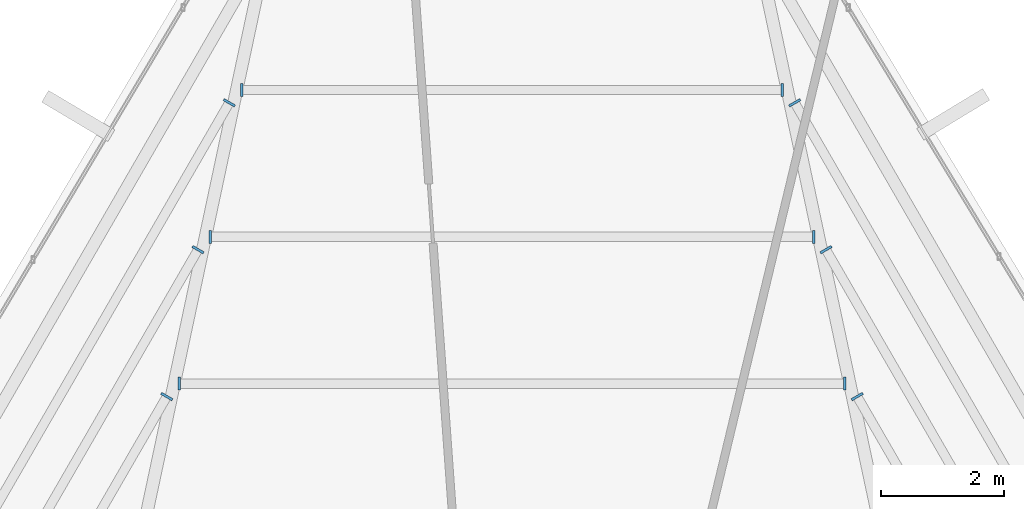
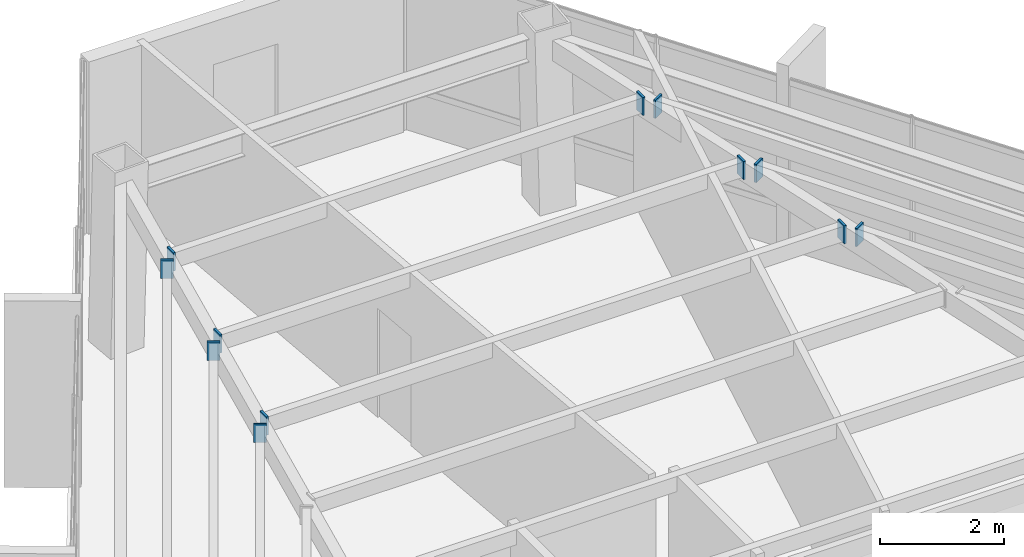
# One storey, part 41 of 47: 12 plates.
"""IFC4 building model written with IfcOpenShell, lengths in metres."""

import ifcopenshell
import ifcopenshell.guid

model = None  # the IFC model being written
_history = None  # IfcOwnerHistory: only IFC2X3 demands one
_inside = {}  # id of a spatial element -> (the spatial element, [elements in it])
_under = {}  # id of a project, library or spatial element -> (it, [spatial elements below it])
_declared = {}  # id of a project -> (the project, [libraries it declares])
_typed = {}  # id of a type object -> (the type object, [elements of that type])
_made_of = {}  # id of a material, layer set ... -> (it, [elements and type objects made of it])


def new_model(schema):
    """Start an empty IFC model of exactly this schema.

    Asked for "IFC4X3", IfcOpenShell would pick the latest addendum, in which some entities
    have other attributes; the version numbers below select the first issue.
    IFC2X3 requires an IfcOwnerHistory on every rooted entity: one is made here for all.
    """
    global model, _history
    if schema == "IFC4X3":
        model = ifcopenshell.file(schema_version=(4, 3, 0, 0))
    else:
        model = ifcopenshell.file(schema=schema)
    _inside.clear()
    _under.clear()
    _declared.clear()
    _typed.clear()
    _made_of.clear()
    _history = None
    if model.schema == "IFC2X3":
        org = make("IfcOrganization", Name="unknown")
        user = make(
            "IfcPersonAndOrganization",
            ThePerson=make("IfcPerson", FamilyName="unknown"),
            TheOrganization=org,
        )
        app = make(
            "IfcApplication",
            ApplicationDeveloper=org,
            Version="unknown",
            ApplicationFullName="unknown",
            ApplicationIdentifier="unknown",
        )
        _history = make(
            "IfcOwnerHistory",
            OwningUser=user,
            OwningApplication=app,
            ChangeAction="ADDED",
            CreationDate=0,
        )
    return model


def make(cls, **values):
    """One entity of the class cls with the attributes given. An attribute that is None is left unset."""
    return model.create_entity(
        cls, **{name: value for name, value in values.items() if value is not None}
    )


def rooted(cls, **values):
    """An entity with a GlobalId (a new one), such as an element, a storey or a relation."""
    return make(cls, GlobalId=ifcopenshell.guid.new(), OwnerHistory=_history, **values)


def si_unit(unit_type, name, prefix=None):
    """IfcSIUnit, for example si_unit("LENGTHUNIT", "METRE", prefix="MILLI")."""
    return make("IfcSIUnit", UnitType=unit_type, Prefix=prefix, Name=name)


def assignment(units):
    """IfcUnitAssignment: the units of a project."""
    return None if units is None else make("IfcUnitAssignment", Units=units)


def point(xyz):
    """IfcCartesianPoint."""
    return None if xyz is None else make("IfcCartesianPoint", Coordinates=xyz)


def direction(xyz):
    """IfcDirection."""
    return None if xyz is None else make("IfcDirection", DirectionRatios=xyz)


def frame(location, z_axis=None, x_axis=None):
    """IfcAxis2Placement3D, a coordinate frame: its origin and axes. An axis left out is left unset."""
    return make(
        "IfcAxis2Placement3D",
        Location=point(location),
        Axis=direction(z_axis),
        RefDirection=direction(x_axis),
    )


def frame_2d(location, x_axis=None):
    """IfcAxis2Placement2D, a coordinate frame in the plane: its origin and x axis."""
    return make(
        "IfcAxis2Placement2D", Location=point(location), RefDirection=direction(x_axis)
    )


def origin():
    """The frame at (0, 0, 0) with its axes left unset."""
    return frame((0.0, 0.0, 0.0))


def origin_2d():
    """The frame at (0, 0) in the plane with its x axis left unset."""
    return frame_2d((0.0, 0.0))


def place(relative_to, where):
    """IfcLocalPlacement: puts the frame where relative to a parent placement (None: the world)."""
    return make(
        "IfcLocalPlacement", PlacementRelTo=relative_to, RelativePlacement=where
    )


def context(
    kind, dimensions, precision=None, world=None, true_north=None, identifier=None
):
    """IfcGeometricRepresentationContext, for example the 3D "Model" context."""
    return make(
        "IfcGeometricRepresentationContext",
        ContextIdentifier=identifier,
        ContextType=kind,
        CoordinateSpaceDimension=dimensions,
        Precision=precision,
        WorldCoordinateSystem=world,
        TrueNorth=true_north,
    )


def subcontext(parent, identifier, kind, view, scale=None):
    """IfcGeometricRepresentationSubContext, for example "Body" below "Model"."""
    return make(
        "IfcGeometricRepresentationSubContext",
        ContextIdentifier=identifier,
        ContextType=kind,
        ParentContext=parent,
        TargetScale=scale,
        TargetView=view,
    )


def project(units=None, contexts=None):
    """IfcProject with its units and contexts."""
    return rooted(
        "IfcProject",
        Name="project",
        RepresentationContexts=contexts,
        UnitsInContext=assignment(units),
    )


def spatial(cls, under=None, at=None, **own):
    """A site, building, storey or space (cls), placed at a placement, below another one or the project."""
    s = rooted(cls, ObjectPlacement=at, **own)
    if under is not None:
        _under.setdefault(under.id(), (under, []))[1].append(s)
    return s


def profile(cls, at=None, kind="AREA", **sizes):
    """A parametric profile (cls). Its sizes go by their IFC names, for example OverallWidth=200.0."""
    return make(cls, ProfileType=kind, Position=at, **sizes)


def rectangle(**sizes):
    """IfcRectangleProfileDef."""
    return profile("IfcRectangleProfileDef", **sizes)


def extrude(swept, where, along, depth):
    """IfcExtrudedAreaSolid: the profile swept, set in the frame where, extruded along a direction by depth."""
    return make(
        "IfcExtrudedAreaSolid",
        SweptArea=swept,
        Position=where,
        ExtrudedDirection=direction(along),
        Depth=depth,
    )


def shape(context_of_items, identifier, shape_type, items):
    """IfcShapeRepresentation: the items that make up one representation, for example the "Body"."""
    return make(
        "IfcShapeRepresentation",
        ContextOfItems=context_of_items,
        RepresentationIdentifier=identifier,
        RepresentationType=shape_type,
        Items=items,
    )


def source(mapping_origin, context_of_items, identifier, shape_type, items):
    """IfcRepresentationMap: a shape defined once, which mapped items show again and again."""
    return make(
        "IfcRepresentationMap",
        MappingOrigin=mapping_origin,
        MappedRepresentation=shape(context_of_items, identifier, shape_type, items),
    )


def transform(
    local_origin,
    x_axis=None,
    y_axis=None,
    z_axis=None,
    scale=None,
    scale2=None,
    scale3=None,
    uniform=True,
):
    """IfcCartesianTransformationOperator3D, or its non-uniform kind. x_axis, y_axis, z_axis: its Axis1, 2, 3."""
    if uniform:
        return make(
            "IfcCartesianTransformationOperator3D",
            Axis1=direction(x_axis),
            Axis2=direction(y_axis),
            LocalOrigin=point(local_origin),
            Scale=scale,
            Axis3=direction(z_axis),
        )
    return make(
        "IfcCartesianTransformationOperator3DnonUniform",
        Axis1=direction(x_axis),
        Axis2=direction(y_axis),
        LocalOrigin=point(local_origin),
        Scale=scale,
        Axis3=direction(z_axis),
        Scale2=scale2,
        Scale3=scale3,
    )


def mapped(mapping_source, mapping_target):
    """IfcMappedItem: shows the shape of a source again, moved by a transform."""
    return make(
        "IfcMappedItem", MappingSource=mapping_source, MappingTarget=mapping_target
    )


def material(Name=None, Category=None):
    """IfcMaterial."""
    return make("IfcMaterial", Name=Name, Category=Category)


def layer(
    of_material, thickness, ventilated=None, Name=None, Category=None, Priority=None
):
    """IfcMaterialLayer: one layer of a wall or slab, of a material (None: an air gap)."""
    return make(
        "IfcMaterialLayer",
        Material=of_material,
        LayerThickness=thickness,
        IsVentilated=ventilated,
        Name=Name,
        Category=Category,
        Priority=Priority,
    )


def layer_set(layers, Name=None):
    """IfcMaterialLayerSet."""
    return make("IfcMaterialLayerSet", MaterialLayers=layers, LayerSetName=Name)


def made_of(thing, what):
    """Note that an element or type object is made of a material, layer set ...; save() writes the relation."""
    if what is not None:
        _made_of.setdefault(what.id(), (what, []))[1].append(thing)
    return thing


def type_object(cls, material=None, **own):
    """A type object (cls), such as IfcWallType, which elements share."""
    return made_of(rooted(cls, **own), material)


def type_shapes(of_type, sources):
    """Give a type object the sources (RepresentationMaps) that its elements show as mapped items."""
    of_type.RepresentationMaps = sources


def element(
    cls,
    number,
    at=None,
    inside=None,
    cuts=None,
    type_object=None,
    material=None,
    context=None,
    identifier="Body",
    shape_type=None,
    held_by="IfcProductDefinitionShape",
    body=None,
    shapes=None,
    **own,
):
    """One element of the class cls, such as IfcWall. Its Tag is "e" and its number.

    at: its placement. inside: the storey or other place that contains it. cuts: it is an
    opening in that element (IfcRelVoidsElement). A single representation is given by context,
    identifier, shape_type and body (its items); several are given by shapes. held_by: the class
    of the entity that holds the representations. save() writes the other relations.
    """
    e = rooted(cls, Tag="e%d" % number, ObjectPlacement=at, **own)
    if body is not None:
        shapes = [shape(context, identifier, shape_type, body)]
    if shapes is not None:
        e.Representation = make(held_by, Representations=shapes)
    if inside is not None:
        _inside.setdefault(inside.id(), (inside, []))[1].append(e)
    if cuts is not None:
        rooted(
            "IfcRelVoidsElement", RelatingBuildingElement=cuts, RelatedOpeningElement=e
        )
    if type_object is not None:
        _typed.setdefault(type_object.id(), (type_object, []))[1].append(e)
    return made_of(e, material)


def aggregate(whole, parts):
    """IfcRelAggregates: a whole, such as a stair, and the parts it consists of."""
    return rooted("IfcRelAggregates", RelatingObject=whole, RelatedObjects=parts)


def save(model, path):
    """Write the relations noted so far, then the file.

    IfcRelAggregates (storeys below a building ...), IfcRelContainedInSpatialStructure (elements
    in a storey), IfcRelDefinesByType, IfcRelAssociatesMaterial and IfcRelDeclares: one each for
    every whole, place, type object, material and project.
    """
    for whole, parts in _under.values():
        aggregate(whole, parts)
    for where, things in _inside.values():
        rooted(
            "IfcRelContainedInSpatialStructure",
            RelatedElements=things,
            RelatingStructure=where,
        )
    for kind, things in _typed.values():
        rooted("IfcRelDefinesByType", RelatedObjects=things, RelatingType=kind)
    for what, things in _made_of.values():
        rooted("IfcRelAssociatesMaterial", RelatedObjects=things, RelatingMaterial=what)
    for by, libraries in _declared.values():
        rooted("IfcRelDeclares", RelatingContext=by, RelatedDefinitions=libraries)
    model.write(path)


model = new_model("IFC4")

# Units and contexts
model_context = context("Model", 3, precision=1e-05, world=origin(), true_north=direction((0.0, 1.0)))
body_context = subcontext(model_context, "Body", "Model", "MODEL_VIEW")
ifc_project = project(units=[si_unit("LENGTHUNIT", "METRE"), si_unit("AREAUNIT", "SQUARE_METRE"), si_unit("VOLUMEUNIT", "CUBIC_METRE"), si_unit("PLANEANGLEUNIT", "RADIAN"), si_unit("MASSUNIT", "GRAM", prefix="KILO")], contexts=[model_context])

# Site, building, storey
site_placement = place(None, origin())
site = spatial("IfcSite", under=ifc_project, at=site_placement, CompositionType="ELEMENT")
building_placement = place(site_placement, origin())
building = spatial("IfcBuilding", under=site, at=building_placement, Name="Caelisora Broadcast Tower", CompositionType="ELEMENT")
storey_placement = place(building_placement, frame((0.0, 0.0, 248.10009765625)))
storey = spatial("IfcBuildingStorey", under=building, at=storey_placement, Name="L65", CompositionType="ELEMENT", Elevation=248.10009765625)

# Plates
ifc_material = material(Name="Steel Grade 350 L15 (AS/NZS 3678)", Category="steel")
ifc_layer = layer(ifc_material, 0.0400390625, Name="Steel Grade 350 L15 (AS/NZS 3678)")
ifc_layer_set = layer_set([ifc_layer], Name="Steel Grade 350 L15 (AS/NZS 3678)")
plate_type = type_object("IfcPlateType", Name="GP04", PredefinedType="USERDEFINED", material=ifc_layer_set)
shared_shape = source(origin(), body_context, "Body", "SweptSolid", [
    extrude(rectangle(XDim=0.2099609375, YDim=0.0400390625, at=origin_2d()), origin(), (0.0, 0.0, 1.0), 0.360107421875),
])
type_shapes(plate_type, [shared_shape])
for number, where, z_axis, x_axis, name in (
    (1, (43.396240234375, 39.523681640625, 3.06982421875), (0.0, 0.0, 1.0), (0.0, -1.0, 0.0), "L65 gusset plate GP04 (ND-SB-L65-004A)"),
    (2, (32.603759765625, 39.523681640625, 3.06982421875), (0.0, 0.0, 1.0), (0.0, -1.0, 0.0), "L65 gusset plate GP04 (ND-SB-L65-004B)"),
    (3, (42.89013671875, 41.904541015625, 3.06982421875), (0.0, 0.0, 1.0), (0.0, -1.0, 0.0), "L65 gusset plate GP04 (ND-SB-L65-005A)"),
    (4, (33.10986328125, 41.904541015625, 3.06982421875), (0.0, 0.0, 1.0), (0.0, -1.0, 0.0), "L65 gusset plate GP04 (ND-SB-L65-005B)"),
    (5, (42.384033203125, 44.28564453125, 3.06982421875), (0.0, 0.0, 1.0), (0.0, -1.0, 0.0), "L65 gusset plate GP04 (ND-SB-L65-006A)"),
    (6, (33.615966796875, 44.28564453125, 3.06982421875), (0.0, 0.0, 1.0), (0.0, -1.0, 0.0), "L65 gusset plate GP04 (ND-SB-L65-006B)"),
    (7, (32.404296875, 39.315673828125, 3.06982421875), (0.0, 0.0, 1.0), (0.866025403784, -0.5, 0.0), "L65 gusset plate GP04 (ND-SB-L65-009A)"),
    (8, (32.910400390625, 41.696533203125, 3.06982421875), (0.0, 0.0, 1.0), (0.866025403784, -0.5, 0.0), "L65 gusset plate GP04 (ND-SB-L65-010A)"),
    (9, (33.416748046875, 44.07763671875, 3.06982421875), (0.0, 0.0, 1.0), (0.866025403784, -0.5, 0.0), "L65 gusset plate GP04 (ND-SB-L65-011A)"),
    (10, (43.595703125, 39.315673828125, 3.06982421875), (0.0, 0.0, 1.0), (-0.866025403784, -0.5, 0.0), "L65 gusset plate GP04 (ND-SB-L65-058B)"),
    (11, (43.089599609375, 41.696533203125, 3.06982421875), (0.0, 0.0, 1.0), (-0.866025403784, -0.5, 0.0), "L65 gusset plate GP04 (ND-SB-L65-059B)"),
    (12, (42.583251953125, 44.07763671875, 3.06982421875), (0.0, 0.0, 1.0), (-0.866025403784, -0.5, 0.0), "L65 gusset plate GP04 (ND-SB-L65-060B)"),
):
    element("IfcPlate", number, at=place(storey_placement, frame(where, z_axis=z_axis, x_axis=x_axis)), inside=storey, type_object=plate_type, Name=name, ObjectType="GUSSET PLATE", PredefinedType="USERDEFINED", context=body_context, shape_type="MappedRepresentation", body=[
        mapped(shared_shape, transform((0.0, 0.0, 0.0), scale=1.0)),
    ])

save(model, "model.ifc")
